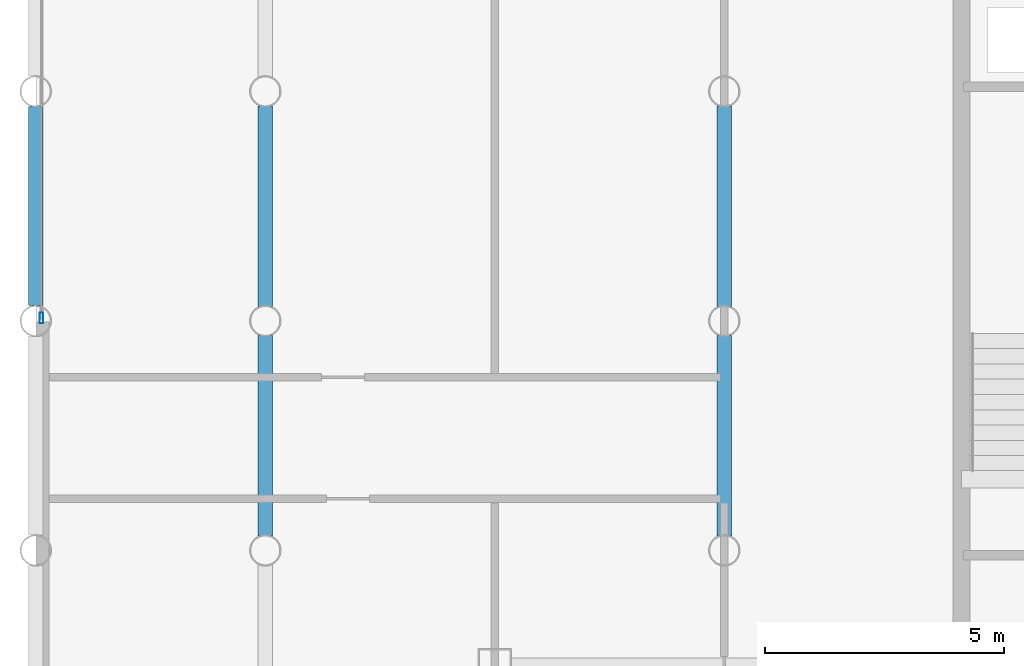
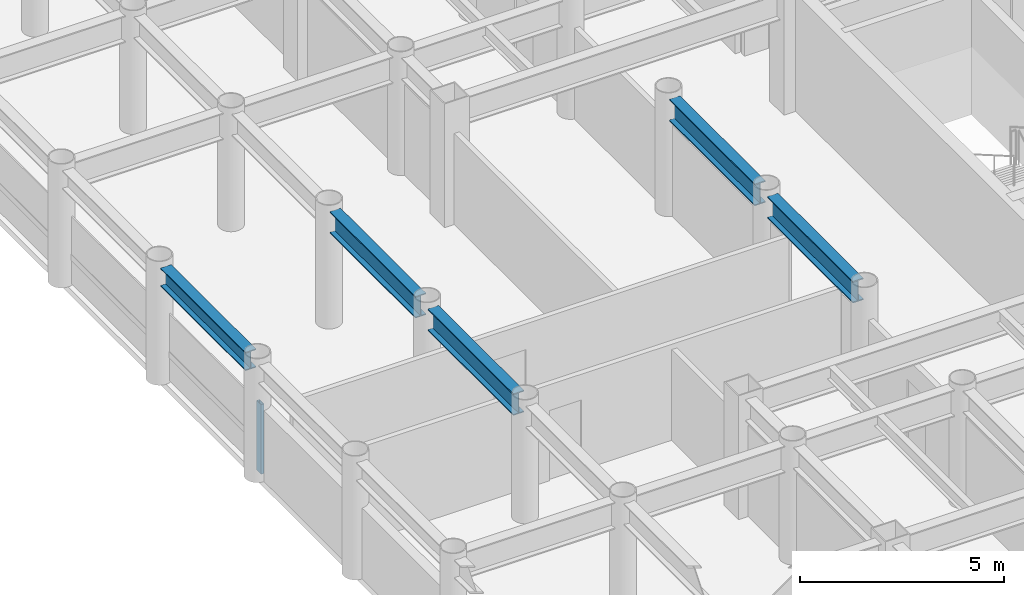
# One storey, part 4 of 20: 5 beams, 1 member, 1 element without a shape of its own.
"""IFC4 building model written with IfcOpenShell, lengths in metres."""

import ifcopenshell
import ifcopenshell.guid

model = None  # the IFC model being written
_history = None  # IfcOwnerHistory: only IFC2X3 demands one
_inside = {}  # id of a spatial element -> (the spatial element, [elements in it])
_under = {}  # id of a project, library or spatial element -> (it, [spatial elements below it])
_declared = {}  # id of a project -> (the project, [libraries it declares])
_typed = {}  # id of a type object -> (the type object, [elements of that type])
_made_of = {}  # id of a material, layer set ... -> (it, [elements and type objects made of it])


def new_model(schema):
    """Start an empty IFC model of exactly this schema.

    Asked for "IFC4X3", IfcOpenShell would pick the latest addendum, in which some entities
    have other attributes; the version numbers below select the first issue.
    IFC2X3 requires an IfcOwnerHistory on every rooted entity: one is made here for all.
    """
    global model, _history
    if schema == "IFC4X3":
        model = ifcopenshell.file(schema_version=(4, 3, 0, 0))
    else:
        model = ifcopenshell.file(schema=schema)
    _inside.clear()
    _under.clear()
    _declared.clear()
    _typed.clear()
    _made_of.clear()
    _history = None
    if model.schema == "IFC2X3":
        org = make("IfcOrganization", Name="unknown")
        user = make(
            "IfcPersonAndOrganization",
            ThePerson=make("IfcPerson", FamilyName="unknown"),
            TheOrganization=org,
        )
        app = make(
            "IfcApplication",
            ApplicationDeveloper=org,
            Version="unknown",
            ApplicationFullName="unknown",
            ApplicationIdentifier="unknown",
        )
        _history = make(
            "IfcOwnerHistory",
            OwningUser=user,
            OwningApplication=app,
            ChangeAction="ADDED",
            CreationDate=0,
        )
    return model


def make(cls, **values):
    """One entity of the class cls with the attributes given. An attribute that is None is left unset."""
    return model.create_entity(
        cls, **{name: value for name, value in values.items() if value is not None}
    )


def rooted(cls, **values):
    """An entity with a GlobalId (a new one), such as an element, a storey or a relation."""
    return make(cls, GlobalId=ifcopenshell.guid.new(), OwnerHistory=_history, **values)


def si_unit(unit_type, name, prefix=None):
    """IfcSIUnit, for example si_unit("LENGTHUNIT", "METRE", prefix="MILLI")."""
    return make("IfcSIUnit", UnitType=unit_type, Prefix=prefix, Name=name)


def assignment(units):
    """IfcUnitAssignment: the units of a project."""
    return None if units is None else make("IfcUnitAssignment", Units=units)


def point(xyz):
    """IfcCartesianPoint."""
    return None if xyz is None else make("IfcCartesianPoint", Coordinates=xyz)


def direction(xyz):
    """IfcDirection."""
    return None if xyz is None else make("IfcDirection", DirectionRatios=xyz)


def frame(location, z_axis=None, x_axis=None):
    """IfcAxis2Placement3D, a coordinate frame: its origin and axes. An axis left out is left unset."""
    return make(
        "IfcAxis2Placement3D",
        Location=point(location),
        Axis=direction(z_axis),
        RefDirection=direction(x_axis),
    )


def frame_2d(location, x_axis=None):
    """IfcAxis2Placement2D, a coordinate frame in the plane: its origin and x axis."""
    return make(
        "IfcAxis2Placement2D", Location=point(location), RefDirection=direction(x_axis)
    )


def origin():
    """The frame at (0, 0, 0) with its axes left unset."""
    return frame((0.0, 0.0, 0.0))


def origin_2d():
    """The frame at (0, 0) in the plane with its x axis left unset."""
    return frame_2d((0.0, 0.0))


def place(relative_to, where):
    """IfcLocalPlacement: puts the frame where relative to a parent placement (None: the world)."""
    return make(
        "IfcLocalPlacement", PlacementRelTo=relative_to, RelativePlacement=where
    )


def context(
    kind, dimensions, precision=None, world=None, true_north=None, identifier=None
):
    """IfcGeometricRepresentationContext, for example the 3D "Model" context."""
    return make(
        "IfcGeometricRepresentationContext",
        ContextIdentifier=identifier,
        ContextType=kind,
        CoordinateSpaceDimension=dimensions,
        Precision=precision,
        WorldCoordinateSystem=world,
        TrueNorth=true_north,
    )


def subcontext(parent, identifier, kind, view, scale=None):
    """IfcGeometricRepresentationSubContext, for example "Body" below "Model"."""
    return make(
        "IfcGeometricRepresentationSubContext",
        ContextIdentifier=identifier,
        ContextType=kind,
        ParentContext=parent,
        TargetScale=scale,
        TargetView=view,
    )


def project(units=None, contexts=None):
    """IfcProject with its units and contexts."""
    return rooted(
        "IfcProject",
        Name="project",
        RepresentationContexts=contexts,
        UnitsInContext=assignment(units),
    )


def spatial(cls, under=None, at=None, **own):
    """A site, building, storey or space (cls), placed at a placement, below another one or the project."""
    s = rooted(cls, ObjectPlacement=at, **own)
    if under is not None:
        _under.setdefault(under.id(), (under, []))[1].append(s)
    return s


def profile(cls, at=None, kind="AREA", **sizes):
    """A parametric profile (cls). Its sizes go by their IFC names, for example OverallWidth=200.0."""
    return make(cls, ProfileType=kind, Position=at, **sizes)


def hollow_rectangle(**sizes):
    """IfcRectangleHollowProfileDef."""
    return profile("IfcRectangleHollowProfileDef", **sizes)


def i_section(**sizes):
    """IfcIShapeProfileDef."""
    return profile("IfcIShapeProfileDef", **sizes)


def extrude(swept, where, along, depth):
    """IfcExtrudedAreaSolid: the profile swept, set in the frame where, extruded along a direction by depth."""
    return make(
        "IfcExtrudedAreaSolid",
        SweptArea=swept,
        Position=where,
        ExtrudedDirection=direction(along),
        Depth=depth,
    )


def shape(context_of_items, identifier, shape_type, items):
    """IfcShapeRepresentation: the items that make up one representation, for example the "Body"."""
    return make(
        "IfcShapeRepresentation",
        ContextOfItems=context_of_items,
        RepresentationIdentifier=identifier,
        RepresentationType=shape_type,
        Items=items,
    )


def material(Name=None, Category=None):
    """IfcMaterial."""
    return make("IfcMaterial", Name=Name, Category=Category)


def layer(
    of_material, thickness, ventilated=None, Name=None, Category=None, Priority=None
):
    """IfcMaterialLayer: one layer of a wall or slab, of a material (None: an air gap)."""
    return make(
        "IfcMaterialLayer",
        Material=of_material,
        LayerThickness=thickness,
        IsVentilated=ventilated,
        Name=Name,
        Category=Category,
        Priority=Priority,
    )


def layer_set(layers, Name=None):
    """IfcMaterialLayerSet."""
    return make("IfcMaterialLayerSet", MaterialLayers=layers, LayerSetName=Name)


def material_profile(
    of_material, cross_section, Name=None, Category=None, Priority=None
):
    """IfcMaterialProfile: a cross section and its material."""
    return make(
        "IfcMaterialProfile",
        Name=Name,
        Material=of_material,
        Profile=cross_section,
        Priority=Priority,
        Category=Category,
    )


def profile_set(profiles, Name=None, composite=None):
    """IfcMaterialProfileSet."""
    return make(
        "IfcMaterialProfileSet",
        Name=Name,
        MaterialProfiles=profiles,
        CompositeProfile=composite,
    )


def made_of(thing, what):
    """Note that an element or type object is made of a material, layer set ...; save() writes the relation."""
    if what is not None:
        _made_of.setdefault(what.id(), (what, []))[1].append(thing)
    return thing


def type_object(cls, material=None, **own):
    """A type object (cls), such as IfcWallType, which elements share."""
    return made_of(rooted(cls, **own), material)


def element(
    cls,
    number,
    at=None,
    inside=None,
    cuts=None,
    type_object=None,
    material=None,
    context=None,
    identifier="Body",
    shape_type=None,
    held_by="IfcProductDefinitionShape",
    body=None,
    shapes=None,
    **own,
):
    """One element of the class cls, such as IfcWall. Its Tag is "e" and its number.

    at: its placement. inside: the storey or other place that contains it. cuts: it is an
    opening in that element (IfcRelVoidsElement). A single representation is given by context,
    identifier, shape_type and body (its items); several are given by shapes. held_by: the class
    of the entity that holds the representations. save() writes the other relations.
    """
    e = rooted(cls, Tag="e%d" % number, ObjectPlacement=at, **own)
    if body is not None:
        shapes = [shape(context, identifier, shape_type, body)]
    if shapes is not None:
        e.Representation = make(held_by, Representations=shapes)
    if inside is not None:
        _inside.setdefault(inside.id(), (inside, []))[1].append(e)
    if cuts is not None:
        rooted(
            "IfcRelVoidsElement", RelatingBuildingElement=cuts, RelatedOpeningElement=e
        )
    if type_object is not None:
        _typed.setdefault(type_object.id(), (type_object, []))[1].append(e)
    return made_of(e, material)


def aggregate(whole, parts):
    """IfcRelAggregates: a whole, such as a stair, and the parts it consists of."""
    return rooted("IfcRelAggregates", RelatingObject=whole, RelatedObjects=parts)


def save(model, path):
    """Write the relations noted so far, then the file.

    IfcRelAggregates (storeys below a building ...), IfcRelContainedInSpatialStructure (elements
    in a storey), IfcRelDefinesByType, IfcRelAssociatesMaterial and IfcRelDeclares: one each for
    every whole, place, type object, material and project.
    """
    for whole, parts in _under.values():
        aggregate(whole, parts)
    for where, things in _inside.values():
        rooted(
            "IfcRelContainedInSpatialStructure",
            RelatedElements=things,
            RelatingStructure=where,
        )
    for kind, things in _typed.values():
        rooted("IfcRelDefinesByType", RelatedObjects=things, RelatingType=kind)
    for what, things in _made_of.values():
        rooted("IfcRelAssociatesMaterial", RelatedObjects=things, RelatingMaterial=what)
    for by, libraries in _declared.values():
        rooted("IfcRelDeclares", RelatingContext=by, RelatedDefinitions=libraries)
    model.write(path)


model = new_model("IFC4")

# Units and contexts
model_context = context("Model", 3, precision=1e-05, world=origin(), true_north=direction((0.0, 1.0)))
body_context = subcontext(model_context, "Body", "Model", "MODEL_VIEW")
ifc_project = project(units=[si_unit("LENGTHUNIT", "METRE"), si_unit("AREAUNIT", "SQUARE_METRE"), si_unit("VOLUMEUNIT", "CUBIC_METRE"), si_unit("PLANEANGLEUNIT", "RADIAN"), si_unit("MASSUNIT", "GRAM", prefix="KILO")], contexts=[model_context])

# Site, building, storey
site_placement = place(None, origin())
site = spatial("IfcSite", under=ifc_project, at=site_placement, CompositionType="ELEMENT")
building_placement = place(site_placement, origin())
building = spatial("IfcBuilding", under=site, at=building_placement, Name="Kallvorn Hotel Tower", CompositionType="ELEMENT")
storey_placement = place(building_placement, frame((0.0, 0.0, 128.5)))
storey = spatial("IfcBuildingStorey", under=building, at=storey_placement, Name="L31", CompositionType="ELEMENT", Elevation=128.5)

# Beams
ifc_material_1 = material(Name="Structural steel S355JR", Category="steel")
ifc_material_profile_1 = material_profile(ifc_material_1, i_section(OverallWidth=0.300048828125, OverallDepth=0.550048828125, WebThickness=0.014892578125, FlangeThickness=0.029052734375, at=origin_2d()), Name="HE 550 B")
ifc_profile_set_1 = profile_set([ifc_material_profile_1], Name="Structural steel S355JR")
beam_type_1 = type_object("IfcBeamType", Name="BM_HE550B", PredefinedType="SPANDREL", material=ifc_profile_set_1)
beam_placement = place(storey_placement, frame((-33.60009765625, 0.320068359375, 3.2451171875), z_axis=(0.0, 1.0, 0.0), x_axis=(-1.0, 0.0, 0.0)))
element("IfcBeam", 1, at=beam_placement, inside=storey, type_object=beam_type_1, Name="L32 Perimeter Spandrel 177", PredefinedType="SPANDREL", context=body_context, shape_type="SweptSolid", body=[
    extrude(i_section(OverallWidth=0.300048828125, OverallDepth=0.550048828125, WebThickness=0.014892578125, FlangeThickness=0.029052734375, at=origin_2d()), origin(), (0.0, 0.0, 1.0), 4.159912109375),
])
ifc_material_2 = material(Name="Structural steel S355JR", Category="steel")
ifc_material_profile_2 = material_profile(ifc_material_2, i_section(OverallWidth=0.300048828125, OverallDepth=0.64990234375, WebThickness=0.01611328125, FlangeThickness=0.031005859375, at=origin_2d()), Name="HE 650 B")
ifc_profile_set_2 = profile_set([ifc_material_profile_2], Name="Structural steel S355JR")
beam_type_2 = type_object("IfcBeamType", Name="BM_HE650B", PredefinedType="BEAM", material=ifc_profile_set_2)
for number, where, z_axis, x_axis, name in (
    (2, (-28.800048828125, -4.4951171875, 3.195068359375), (0.0, 1.0, 0.0), (-1.0, 0.0, 0.0), "L32 Primary Y-Girder 76"),
    (3, (-28.800048828125, 0.304931640625, 3.195068359375), (0.0, 1.0, 0.0), (-1.0, 0.0, 0.0), "L32 Primary Y-Girder 77"),
    (4, (-19.199951171875, -4.4951171875, 3.195068359375), (0.0, 1.0, 0.0), (-1.0, 0.0, 0.0), "L32 Primary Y-Girder 92"),
    (5, (-19.199951171875, 0.304931640625, 3.195068359375), (0.0, 1.0, 0.0), (-1.0, 0.0, 0.0), "L32 Primary Y-Girder 93"),
):
    element("IfcBeam", number, at=place(storey_placement, frame(where, z_axis=z_axis, x_axis=x_axis)), inside=storey, type_object=beam_type_2, Name=name, PredefinedType="BEAM", context=body_context, shape_type="SweptSolid", body=[
        extrude(i_section(OverallWidth=0.300048828125, OverallDepth=0.64990234375, WebThickness=0.01611328125, FlangeThickness=0.031005859375, at=origin_2d()), origin(), (0.0, 0.0, 1.0), 4.190185546875),
    ])

# Curtain wall, member
ifc_material_3 = material(Name="Thermally broken black-anodised aluminium AA 6063-T6", Category="aluminium")
ifc_layer = layer(ifc_material_3, 0.2099609375)
ifc_layer_set = layer_set([ifc_layer], Name="CW_SYS_4_HOTEL_MID")
curtain_wall_type = type_object("IfcCurtainWallType", Name="CW_SYS_4_HOTEL_MID", PredefinedType="USERDEFINED", material=ifc_layer_set)
curtain_wall_placement = place(storey_placement, origin())
curtain_wall = element("IfcCurtainWall", 6, at=curtain_wall_placement, inside=storey, type_object=curtain_wall_type, Name="L31 Dark-Glass Curtain Wall CW-L31-WN", ObjectType="UNITISED CURTAIN WALL", PredefinedType="USERDEFINED")
ifc_material_4 = material(Name="Thermally broken black-anodised aluminium AA 6063-T6", Category="aluminium")
ifc_material_profile_3 = material_profile(ifc_material_4, hollow_rectangle(XDim=0.080078125, YDim=0.219970703125, WallThickness=0.0048828125, at=origin_2d()), Name="MUL 220x80")
ifc_profile_set_3 = profile_set([ifc_material_profile_3], Name="Thermally broken black-anodised aluminium AA 6063-T6")
member_type = type_object("IfcMemberType", Name="CW_MULLION_220x80", PredefinedType="MULLION", material=ifc_profile_set_3)
member_placement = place(storey_placement, frame((-33.47998046875, 0.06005859375, 0.02001953125), z_axis=(0.0, 0.0, 1.0), x_axis=(1.0, 0.0, 0.0)))
member = element("IfcMember", 7, at=member_placement, type_object=member_type, Name="CW-L31-WN Mullion 00", PredefinedType="MULLION", context=body_context, shape_type="SweptSolid", body=[
    extrude(hollow_rectangle(XDim=0.080078125, YDim=0.219970703125, WallThickness=0.0048828125, at=origin_2d()), origin(), (0.0, 0.0, 1.0), 2.080078125),
])
aggregate(curtain_wall, [member])

save(model, "model.ifc")
